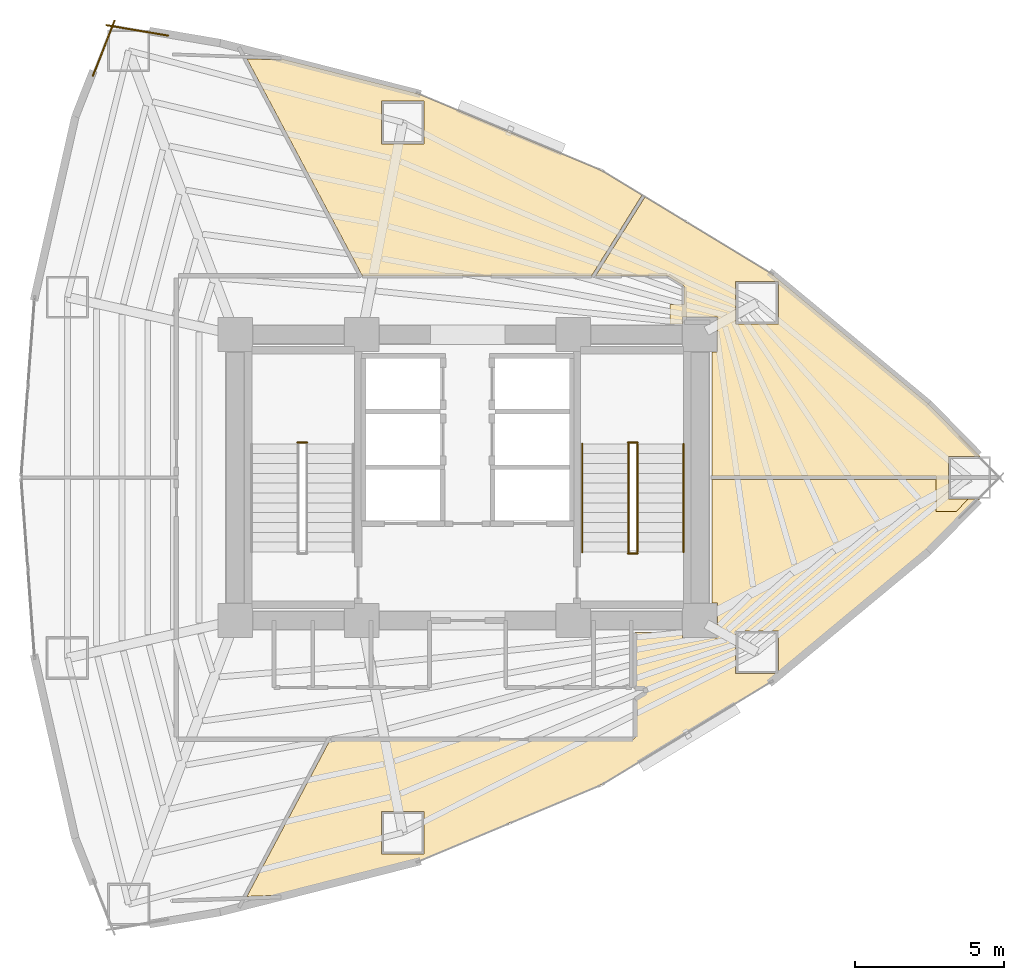
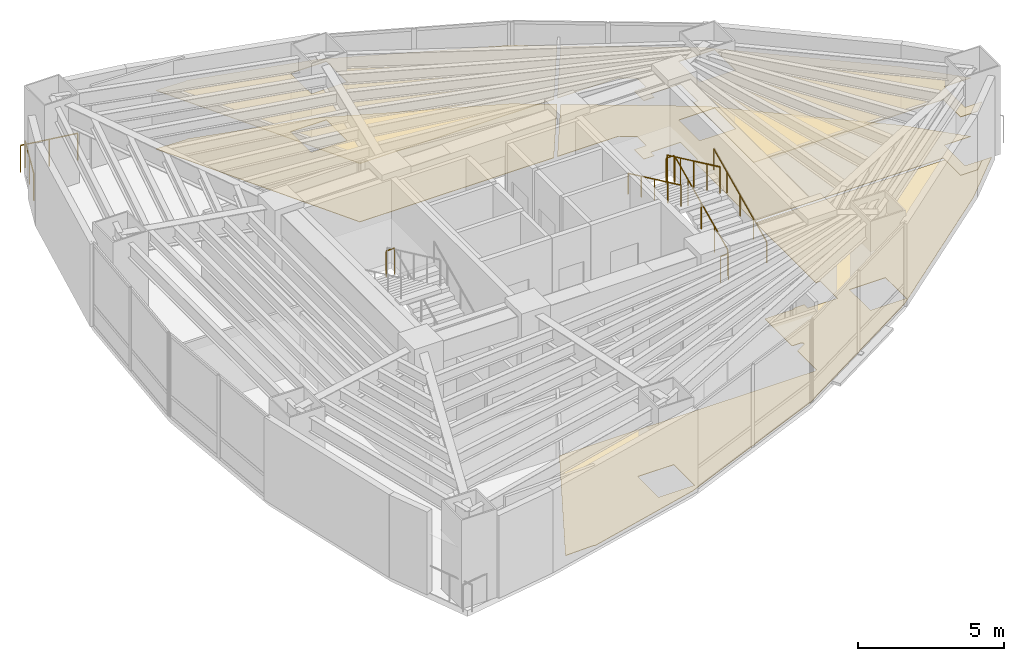
# One storey, part 17 of 18: 9 railings, 5 coverings.
"""IFC4 building model written with IfcOpenShell, lengths in metres."""

from ifc_helpers import new_model, si_unit, direction, frame, origin, origin_2d, place, context, subcontext, project, spatial, polyline, circle, outline, extrude, material, layer, layer_set, type_object, element, save


model = new_model("IFC4")

# Units and contexts
model_context = context("Model", 3, precision=1e-05, world=origin(), true_north=direction((0.0, 1.0)))
body_context = subcontext(model_context, "Body", "Model", "MODEL_VIEW")
ifc_project = project(units=[si_unit("LENGTHUNIT", "METRE"), si_unit("AREAUNIT", "SQUARE_METRE"), si_unit("VOLUMEUNIT", "CUBIC_METRE"), si_unit("PLANEANGLEUNIT", "RADIAN"), si_unit("MASSUNIT", "GRAM", prefix="KILO")], contexts=[model_context])

# Site, building, storey
site_placement = place(None, origin())
site = spatial("IfcSite", under=ifc_project, at=site_placement, CompositionType="ELEMENT")
building_placement = place(site_placement, origin())
building = spatial("IfcBuilding", under=site, at=building_placement, Name="Menara Vayukalpa", CompositionType="ELEMENT")
storey_placement = place(building_placement, frame((0.0, 0.0, 31.320068359375)))
storey = spatial("IfcBuildingStorey", under=building, at=storey_placement, Name="L06", CompositionType="ELEMENT", Elevation=31.320068359375)

# Coverings
ifc_material_1 = material(Name="Mineral Fibre Acoustic Ceiling Tile", Category="masonry")
ifc_layer_1 = layer(ifc_material_1, 0.02490234375)
ifc_layer_set_1 = layer_set([ifc_layer_1], Name="Mineral Fibre Acoustic Ceiling Tile")
covering_type_1 = type_object("IfcCoveringType", Name="COV-CLG1", PredefinedType="CEILING", material=ifc_layer_set_1)
covering_1_placement = place(storey_placement, frame((0.0, 0.0, 2.449951171875)))
element("IfcCovering", 1, at=covering_1_placement, inside=storey, type_object=covering_type_1, Name="L06 Staff Dining and Pantry Acoustic Ceiling", PredefinedType="CEILING", context=body_context, shape_type="SweptSolid", body=[
    extrude(outline(polyline([(33.819091796875, 22.06005859375), (33.818115234375, 22.060302734375), (33.817138671875, 22.060302734375), (33.816162109375, 22.060791015625), (33.815185546875, 22.061279296875), (33.814453125, 22.061767578125), (33.813720703125, 22.062255859375), (33.81298828125, 22.06298828125), (33.812255859375, 22.063720703125), (33.811767578125, 22.064453125), (33.811279296875, 22.065185546875), (33.810791015625, 22.066162109375), (33.810302734375, 22.067138671875), (33.810302734375, 22.068115234375), (33.81005859375, 22.069091796875), (33.81005859375, 22.070068359375), (33.81005859375, 26.2099609375), (33.989990234375, 26.2099609375), (33.989990234375, 27.389892578125), (32.81005859375, 27.389892578125), (32.81005859375, 27.14990234375), (32.389892578125, 27.14990234375), (32.389892578125, 27.81005859375), (32.8701171875, 27.81005859375), (32.8701171875, 28.39453125), (32.86962890625, 28.40185546875), (32.868408203125, 28.408935546875), (32.86669921875, 28.416015625), (32.8642578125, 28.422607421875), (32.861083984375, 28.428955078125), (32.857177734375, 28.43505859375), (32.852783203125, 28.440673828125), (32.847900390625, 28.44580078125), (32.84228515625, 28.450439453125), (32.836181640625, 28.45458984375), (32.333984375, 28.759765625), (32.328125, 28.762939453125), (32.322509765625, 28.765380859375), (32.31640625, 28.767333984375), (32.31005859375, 28.768798828125), (32.3037109375, 28.769775390625), (32.297119140625, 28.77001953125), (29.919189453125, 28.77001953125), (29.918212890625, 28.77001953125), (29.917236328125, 28.770263671875), (29.916259765625, 28.7705078125), (29.915283203125, 28.770751953125), (29.91455078125, 28.77099609375), (29.913818359375, 28.771484375), (29.912841796875, 28.772216796875), (29.912109375, 28.77294921875), (29.91162109375, 28.773681640625), (29.910888671875, 28.7744140625), (29.910400390625, 28.775146484375), (29.909912109375, 28.77587890625), (29.90966796875, 28.77685546875), (29.909423828125, 28.77783203125), (29.9091796875, 28.77880859375), (29.9091796875, 28.77978515625), (29.9091796875, 28.78076171875), (29.9091796875, 28.78173828125), (29.90966796875, 28.78271484375), (29.909912109375, 28.78369140625), (29.91015625, 28.784423828125), (29.91064453125, 28.785400390625), (31.551513671875, 31.411376953125), (31.55224609375, 31.412109375), (31.552734375, 31.412841796875), (31.553466796875, 31.41357421875), (31.55419921875, 31.414306640625), (31.55517578125, 31.414794921875), (31.555908203125, 31.415283203125), (31.556884765625, 31.41552734375), (31.557861328125, 31.415771484375), (31.55859375, 31.416015625), (31.559814453125, 31.416015625), (31.560791015625, 31.416015625), (31.561767578125, 31.416015625), (31.5625, 31.415771484375), (31.5634765625, 31.41552734375), (31.564453125, 31.4150390625), (31.565185546875, 31.41455078125), (35.810791015625, 28.835693359375), (35.81201171875, 28.834716796875), (41.07763671875, 24.468017578125), (41.078369140625, 24.46728515625), (42.798828125, 22.715087890625), (41.749755859375, 22.715087890625), (41.749755859375, 21.284912109375), (42.42041015625, 21.284912109375), (42.008056640625, 20.864990234375), (41.329833984375, 20.864990234375), (41.329833984375, 22.06005859375), (33.820068359375, 22.06005859375), (33.819091796875, 22.06005859375)]), holes=[polyline([(36.032958984375, 27.148193359375), (36.032958984375, 28.578125), (34.60302734375, 28.578125), (34.60302734375, 27.148193359375), (36.032958984375, 27.148193359375)])]), origin(), (0.0, 0.0, 1.0), 0.02490234375),
])
covering_2_placement = place(storey_placement, frame((0.0, 0.0, 2.449951171875)))
element("IfcCovering", 2, at=covering_2_placement, inside=storey, type_object=covering_type_1, Name="L06 Visitor Reception Lounge Acoustic Ceiling", PredefinedType="CEILING", context=body_context, shape_type="SweptSolid", body=[
    extrude(outline(polyline([(30.08984375, 32.310791015625), (30.090576171875, 32.310302734375), (30.09130859375, 32.31005859375), (31.445556640625, 31.4873046875), (31.4462890625, 31.48681640625), (31.447265625, 31.486083984375), (31.447998046875, 31.4853515625), (31.448486328125, 31.484619140625), (31.448974609375, 31.48388671875), (31.449462890625, 31.48291015625), (31.449951171875, 31.48193359375), (31.4501953125, 31.48095703125), (31.4501953125, 31.47998046875), (31.450439453125, 31.47900390625), (31.450439453125, 31.47802734375), (31.4501953125, 31.47705078125), (31.4501953125, 31.47607421875), (31.44970703125, 31.47509765625), (31.449462890625, 31.474365234375), (31.448974609375, 31.473388671875), (29.7626953125, 28.774658203125), (29.761962890625, 28.77392578125), (29.76123046875, 28.773193359375), (29.760498046875, 28.7724609375), (29.759765625, 28.771728515625), (29.7587890625, 28.771240234375), (29.758056640625, 28.770751953125), (29.757080078125, 28.7705078125), (29.756103515625, 28.770263671875), (29.755126953125, 28.77001953125), (29.754150390625, 28.77001953125), (22.07421875, 28.77001953125), (22.0732421875, 28.77001953125), (22.072265625, 28.770263671875), (22.0712890625, 28.7705078125), (22.070556640625, 28.770751953125), (22.069580078125, 28.771240234375), (22.068603515625, 28.771728515625), (22.06787109375, 28.772216796875), (22.067138671875, 28.77294921875), (22.066650390625, 28.773681640625), (22.06591796875, 28.7744140625), (22.0654296875, 28.775390625), (18.198486328125, 36.04833984375), (18.197998046875, 36.04931640625), (18.197509765625, 36.050048828125), (18.197509765625, 36.051025390625), (18.197265625, 36.052001953125), (18.197265625, 36.052978515625), (18.197265625, 36.05419921875), (18.197509765625, 36.05517578125), (18.19775390625, 36.055908203125), (18.197998046875, 36.056884765625), (18.198486328125, 36.057861328125), (18.198974609375, 36.05859375), (18.19970703125, 36.0595703125), (18.2001953125, 36.060302734375), (18.200927734375, 36.060791015625), (18.201904296875, 36.0615234375), (18.20263671875, 36.06201171875), (18.20361328125, 36.062255859375), (18.20458984375, 36.062744140625), (18.20556640625, 36.06298828125), (18.20654296875, 36.06298828125), (18.20751953125, 36.06298828125), (19.326904296875, 36.02392578125), (19.3330078125, 36.02392578125), (19.3388671875, 36.024658203125), (19.344482421875, 36.02587890625), (19.35009765625, 36.027587890625), (19.355712890625, 36.030029296875), (19.360595703125, 36.03271484375), (19.365478515625, 36.0361328125), (19.3701171875, 36.039794921875), (19.3740234375, 36.044189453125), (19.375, 36.045166015625), (19.37548828125, 36.0458984375), (19.376220703125, 36.046630859375), (19.376953125, 36.04736328125), (19.377685546875, 36.0478515625), (19.378662109375, 36.04833984375), (19.379638671875, 36.048583984375), (19.380615234375, 36.048828125), (19.381591796875, 36.049072265625), (19.382568359375, 36.04931640625), (19.38330078125, 36.04931640625), (19.384521484375, 36.049072265625), (19.385498046875, 36.048828125), (23.914794921875, 34.893798828125), (23.916015625, 34.893310546875), (30.08984375, 32.310791015625)]), holes=[polyline([(24.134521484375, 33.207763671875), (24.134521484375, 34.6376953125), (22.704345703125, 34.6376953125), (22.704345703125, 33.207763671875), (24.134521484375, 33.207763671875)])]), origin(), (0.0, 0.0, 1.0), 0.02490234375),
])
ifc_material_2 = material(Name="Porcelain Stoneware Floor Tile", Category="masonry")
ifc_layer_2 = layer(ifc_material_2, 0.02001953125)
ifc_layer_set_2 = layer_set([ifc_layer_2], Name="Porcelain Stoneware Floor Tile")
covering_type_2 = type_object("IfcCoveringType", Name="COV-FLR1", PredefinedType="FLOORING", material=ifc_layer_set_2)
covering_3_placement = place(storey_placement, origin())
element("IfcCovering", 3, at=covering_3_placement, inside=storey, type_object=covering_type_2, Name="L06 Executive Boardroom Porcelain Flooring", PredefinedType="FLOORING", context=body_context, shape_type="SweptSolid", body=[
    extrude(outline(polyline([(23.916015625, 9.106689453125), (23.914794921875, 9.106201171875), (19.385498046875, 7.951171875), (19.384521484375, 7.950927734375), (19.38330078125, 7.95068359375), (19.382568359375, 7.95068359375), (19.381591796875, 7.950927734375), (19.380615234375, 7.951171875), (19.379638671875, 7.951416015625), (19.378662109375, 7.95166015625), (19.377685546875, 7.9521484375), (19.376953125, 7.95263671875), (19.376220703125, 7.953369140625), (19.37548828125, 7.9541015625), (19.375, 7.954833984375), (19.3740234375, 7.955810546875), (19.3701171875, 7.960205078125), (19.365478515625, 7.9638671875), (19.360595703125, 7.96728515625), (19.355712890625, 7.969970703125), (19.35009765625, 7.972412109375), (19.344482421875, 7.97412109375), (19.3388671875, 7.975341796875), (19.3330078125, 7.97607421875), (19.326904296875, 7.97607421875), (18.20751953125, 7.93701171875), (18.20654296875, 7.93701171875), (18.20556640625, 7.93701171875), (18.20458984375, 7.937255859375), (18.20361328125, 7.937744140625), (18.20263671875, 7.93798828125), (18.201904296875, 7.9384765625), (18.200927734375, 7.939208984375), (18.2001953125, 7.939697265625), (18.19970703125, 7.9404296875), (18.198974609375, 7.94140625), (18.198486328125, 7.942138671875), (18.197998046875, 7.943115234375), (18.19775390625, 7.944091796875), (18.197509765625, 7.94482421875), (18.197265625, 7.94580078125), (18.197265625, 7.947021484375), (18.197265625, 7.947998046875), (18.197509765625, 7.948974609375), (18.197509765625, 7.949951171875), (18.197998046875, 7.95068359375), (18.198486328125, 7.95166015625), (20.996826171875, 13.214599609375), (20.997314453125, 13.215576171875), (20.997802734375, 13.21630859375), (20.99853515625, 13.217041015625), (20.999267578125, 13.2177734375), (21.0, 13.21826171875), (21.0009765625, 13.21875), (21.001708984375, 13.21923828125), (21.002685546875, 13.219482421875), (21.003662109375, 13.2197265625), (21.004638671875, 13.219970703125), (21.005615234375, 13.219970703125), (31.149658203125, 13.219970703125), (31.15673828125, 13.220458984375), (31.163818359375, 13.22119140625), (31.17041015625, 13.222900390625), (31.1767578125, 13.225341796875), (31.18310546875, 13.228271484375), (31.188720703125, 13.231689453125), (31.194580078125, 13.236083984375), (31.199462890625, 13.240478515625), (31.2041015625, 13.24560546875), (31.208251953125, 13.251220703125), (31.2119140625, 13.257080078125), (31.214599609375, 13.26318359375), (31.217041015625, 13.269775390625), (31.21875, 13.2763671875), (31.219482421875, 13.283203125), (31.219970703125, 13.290283203125), (31.219970703125, 14.55810546875), (31.22021484375, 14.55908203125), (31.22021484375, 14.56005859375), (31.220458984375, 14.56103515625), (31.220703125, 14.56201171875), (31.22119140625, 14.56298828125), (31.2216796875, 14.563720703125), (31.222412109375, 14.564697265625), (31.22314453125, 14.565185546875), (31.22412109375, 14.56591796875), (31.224853515625, 14.56640625), (31.5927734375, 14.7900390625), (31.5986328125, 14.794189453125), (31.60400390625, 14.798583984375), (31.60888671875, 14.803466796875), (31.61328125, 14.80908203125), (31.6171875, 14.81494140625), (31.620361328125, 14.821044921875), (31.622802734375, 14.82763671875), (31.624755859375, 14.83447265625), (31.626220703125, 14.84130859375), (31.626708984375, 14.84814453125), (31.62646484375, 14.85498046875), (31.62548828125, 14.862060546875), (31.6240234375, 14.868896484375), (31.621826171875, 14.87548828125), (31.618896484375, 14.8818359375), (31.615478515625, 14.887939453125), (31.611328125, 14.8935546875), (31.606689453125, 14.898681640625), (31.6015625, 14.903564453125), (31.59619140625, 14.90771484375), (31.590087890625, 14.911376953125), (31.583740234375, 14.91455078125), (31.5771484375, 14.916748046875), (31.570556640625, 14.918701171875), (31.563720703125, 14.919677734375), (31.556396484375, 14.919921875), (31.219970703125, 14.919921875), (31.218994140625, 14.919921875), (31.218017578125, 14.920166015625), (31.217041015625, 14.92041015625), (31.21630859375, 14.9208984375), (31.21533203125, 14.921142578125), (31.21435546875, 14.921630859375), (31.213623046875, 14.92236328125), (31.212890625, 14.9228515625), (31.21240234375, 14.923583984375), (31.211669921875, 14.92431640625), (31.211181640625, 14.92529296875), (31.210693359375, 14.92626953125), (31.21044921875, 14.927001953125), (31.210205078125, 14.927978515625), (31.2099609375, 14.928955078125), (31.2099609375, 14.929931640625), (31.2099609375, 16.780029296875), (31.2099609375, 16.781005859375), (31.210205078125, 16.781982421875), (31.21044921875, 16.782958984375), (31.210693359375, 16.78369140625), (31.211181640625, 16.78466796875), (31.211669921875, 16.78564453125), (31.21240234375, 16.786376953125), (31.212890625, 16.787109375), (31.213623046875, 16.78759765625), (31.21435546875, 16.788330078125), (31.21533203125, 16.788818359375), (31.21630859375, 16.789306640625), (31.217041015625, 16.78955078125), (31.218017578125, 16.789794921875), (31.218994140625, 16.7900390625), (31.219970703125, 16.7900390625), (32.389892578125, 16.7900390625), (32.389892578125, 16.85009765625), (32.81005859375, 16.85009765625), (32.81005859375, 16.610107421875), (33.989990234375, 16.610107421875), (33.989990234375, 17.7900390625), (33.81005859375, 17.7900390625), (33.81005859375, 21.929931640625), (33.81005859375, 21.930908203125), (33.810302734375, 21.931884765625), (33.810302734375, 21.932861328125), (33.810791015625, 21.933837890625), (33.811279296875, 21.934814453125), (33.811767578125, 21.935546875), (33.812255859375, 21.936279296875), (33.81298828125, 21.93701171875), (33.813720703125, 21.937744140625), (33.814453125, 21.938232421875), (33.815185546875, 21.938720703125), (33.816162109375, 21.939208984375), (33.817138671875, 21.939697265625), (33.818115234375, 21.939697265625), (33.819091796875, 21.93994140625), (33.820068359375, 21.93994140625), (41.329833984375, 21.93994140625), (41.329833984375, 23.135009765625), (42.008056640625, 23.135009765625), (42.42041015625, 22.715087890625), (41.749755859375, 22.715087890625), (41.749755859375, 21.284912109375), (42.798828125, 21.284912109375), (41.078369140625, 19.53271484375), (41.07763671875, 19.531982421875), (35.81201171875, 15.165283203125), (35.810791015625, 15.164306640625), (30.09130859375, 11.68994140625), (30.090576171875, 11.689697265625), (30.08984375, 11.689208984375), (23.916015625, 9.106689453125)]), holes=[polyline([(24.134521484375, 10.792236328125), (22.704345703125, 10.792236328125), (22.704345703125, 9.3623046875), (24.134521484375, 9.3623046875), (24.134521484375, 10.792236328125)]), polyline([(36.032958984375, 16.851806640625), (34.60302734375, 16.851806640625), (34.60302734375, 15.421875), (36.032958984375, 15.421875), (36.032958984375, 16.851806640625)])]), origin(), (0.0, 0.0, 1.0), 0.02001953125),
])
covering_4_placement = place(storey_placement, origin())
element("IfcCovering", 4, at=covering_4_placement, inside=storey, type_object=covering_type_2, Name="L06 Staff Dining and Pantry Porcelain Flooring", PredefinedType="FLOORING", context=body_context, shape_type="SweptSolid", body=[
    extrude(outline(polyline([(33.819091796875, 22.06005859375), (33.818115234375, 22.060302734375), (33.817138671875, 22.060302734375), (33.816162109375, 22.060791015625), (33.815185546875, 22.061279296875), (33.814453125, 22.061767578125), (33.813720703125, 22.062255859375), (33.81298828125, 22.06298828125), (33.812255859375, 22.063720703125), (33.811767578125, 22.064453125), (33.811279296875, 22.065185546875), (33.810791015625, 22.066162109375), (33.810302734375, 22.067138671875), (33.810302734375, 22.068115234375), (33.81005859375, 22.069091796875), (33.81005859375, 22.070068359375), (33.81005859375, 26.2099609375), (33.989990234375, 26.2099609375), (33.989990234375, 27.389892578125), (32.81005859375, 27.389892578125), (32.81005859375, 27.14990234375), (32.389892578125, 27.14990234375), (32.389892578125, 27.81005859375), (32.8701171875, 27.81005859375), (32.8701171875, 28.39453125), (32.86962890625, 28.40185546875), (32.868408203125, 28.408935546875), (32.86669921875, 28.416015625), (32.8642578125, 28.422607421875), (32.861083984375, 28.428955078125), (32.857177734375, 28.43505859375), (32.852783203125, 28.440673828125), (32.847900390625, 28.44580078125), (32.84228515625, 28.450439453125), (32.836181640625, 28.45458984375), (32.333984375, 28.759765625), (32.328125, 28.762939453125), (32.322509765625, 28.765380859375), (32.31640625, 28.767333984375), (32.31005859375, 28.768798828125), (32.3037109375, 28.769775390625), (32.297119140625, 28.77001953125), (29.919189453125, 28.77001953125), (29.918212890625, 28.77001953125), (29.917236328125, 28.770263671875), (29.916259765625, 28.7705078125), (29.915283203125, 28.770751953125), (29.91455078125, 28.77099609375), (29.913818359375, 28.771484375), (29.912841796875, 28.772216796875), (29.912109375, 28.77294921875), (29.91162109375, 28.773681640625), (29.910888671875, 28.7744140625), (29.910400390625, 28.775146484375), (29.909912109375, 28.77587890625), (29.90966796875, 28.77685546875), (29.909423828125, 28.77783203125), (29.9091796875, 28.77880859375), (29.9091796875, 28.77978515625), (29.9091796875, 28.78076171875), (29.9091796875, 28.78173828125), (29.90966796875, 28.78271484375), (29.909912109375, 28.78369140625), (29.91015625, 28.784423828125), (29.91064453125, 28.785400390625), (31.551513671875, 31.411376953125), (31.55224609375, 31.412109375), (31.552734375, 31.412841796875), (31.553466796875, 31.41357421875), (31.55419921875, 31.414306640625), (31.55517578125, 31.414794921875), (31.555908203125, 31.415283203125), (31.556884765625, 31.41552734375), (31.557861328125, 31.415771484375), (31.55859375, 31.416015625), (31.559814453125, 31.416015625), (31.560791015625, 31.416015625), (31.561767578125, 31.416015625), (31.5625, 31.415771484375), (31.5634765625, 31.41552734375), (31.564453125, 31.4150390625), (31.565185546875, 31.41455078125), (35.810791015625, 28.835693359375), (35.81201171875, 28.834716796875), (41.07763671875, 24.468017578125), (41.078369140625, 24.46728515625), (42.798828125, 22.715087890625), (41.749755859375, 22.715087890625), (41.749755859375, 21.284912109375), (42.42041015625, 21.284912109375), (42.008056640625, 20.864990234375), (41.329833984375, 20.864990234375), (41.329833984375, 22.06005859375), (33.820068359375, 22.06005859375), (33.819091796875, 22.06005859375)]), holes=[polyline([(36.032958984375, 27.148193359375), (36.032958984375, 28.578125), (34.60302734375, 28.578125), (34.60302734375, 27.148193359375), (36.032958984375, 27.148193359375)])]), origin(), (0.0, 0.0, 1.0), 0.02001953125),
])
covering_5_placement = place(storey_placement, origin())
element("IfcCovering", 5, at=covering_5_placement, inside=storey, type_object=covering_type_2, Name="L06 Visitor Reception Lounge Porcelain Flooring", PredefinedType="FLOORING", context=body_context, shape_type="SweptSolid", body=[
    extrude(outline(polyline([(30.08984375, 32.310791015625), (30.090576171875, 32.310302734375), (30.09130859375, 32.31005859375), (31.445556640625, 31.4873046875), (31.4462890625, 31.48681640625), (31.447265625, 31.486083984375), (31.447998046875, 31.4853515625), (31.448486328125, 31.484619140625), (31.448974609375, 31.48388671875), (31.449462890625, 31.48291015625), (31.449951171875, 31.48193359375), (31.4501953125, 31.48095703125), (31.4501953125, 31.47998046875), (31.450439453125, 31.47900390625), (31.450439453125, 31.47802734375), (31.4501953125, 31.47705078125), (31.4501953125, 31.47607421875), (31.44970703125, 31.47509765625), (31.449462890625, 31.474365234375), (31.448974609375, 31.473388671875), (29.7626953125, 28.774658203125), (29.761962890625, 28.77392578125), (29.76123046875, 28.773193359375), (29.760498046875, 28.7724609375), (29.759765625, 28.771728515625), (29.7587890625, 28.771240234375), (29.758056640625, 28.770751953125), (29.757080078125, 28.7705078125), (29.756103515625, 28.770263671875), (29.755126953125, 28.77001953125), (29.754150390625, 28.77001953125), (22.07421875, 28.77001953125), (22.0732421875, 28.77001953125), (22.072265625, 28.770263671875), (22.0712890625, 28.7705078125), (22.070556640625, 28.770751953125), (22.069580078125, 28.771240234375), (22.068603515625, 28.771728515625), (22.06787109375, 28.772216796875), (22.067138671875, 28.77294921875), (22.066650390625, 28.773681640625), (22.06591796875, 28.7744140625), (22.0654296875, 28.775390625), (18.198486328125, 36.04833984375), (18.197998046875, 36.04931640625), (18.197509765625, 36.050048828125), (18.197509765625, 36.051025390625), (18.197265625, 36.052001953125), (18.197265625, 36.052978515625), (18.197265625, 36.05419921875), (18.197509765625, 36.05517578125), (18.19775390625, 36.055908203125), (18.197998046875, 36.056884765625), (18.198486328125, 36.057861328125), (18.198974609375, 36.05859375), (18.19970703125, 36.0595703125), (18.2001953125, 36.060302734375), (18.200927734375, 36.060791015625), (18.201904296875, 36.0615234375), (18.20263671875, 36.06201171875), (18.20361328125, 36.062255859375), (18.20458984375, 36.062744140625), (18.20556640625, 36.06298828125), (18.20654296875, 36.06298828125), (18.20751953125, 36.06298828125), (19.326904296875, 36.02392578125), (19.3330078125, 36.02392578125), (19.3388671875, 36.024658203125), (19.344482421875, 36.02587890625), (19.35009765625, 36.027587890625), (19.355712890625, 36.030029296875), (19.360595703125, 36.03271484375), (19.365478515625, 36.0361328125), (19.3701171875, 36.039794921875), (19.3740234375, 36.044189453125), (19.375, 36.045166015625), (19.37548828125, 36.0458984375), (19.376220703125, 36.046630859375), (19.376953125, 36.04736328125), (19.377685546875, 36.0478515625), (19.378662109375, 36.04833984375), (19.379638671875, 36.048583984375), (19.380615234375, 36.048828125), (19.381591796875, 36.049072265625), (19.382568359375, 36.04931640625), (19.38330078125, 36.04931640625), (19.384521484375, 36.049072265625), (19.385498046875, 36.048828125), (23.914794921875, 34.893798828125), (23.916015625, 34.893310546875), (30.08984375, 32.310791015625)]), holes=[polyline([(24.134521484375, 33.207763671875), (24.134521484375, 34.6376953125), (22.704345703125, 34.6376953125), (22.704345703125, 33.207763671875), (24.134521484375, 33.207763671875)])]), origin(), (0.0, 0.0, 1.0), 0.02001953125),
])

# Railings
ifc_material_3 = material(Name="Laminated Glass and Stainless Steel 316 Guardrail", Category="steel")
railing_type_1 = type_object("IfcRailingType", Name="RLG-EXT115", PredefinedType="GUARDRAIL", material=ifc_material_3)
railing_1_placement = place(storey_placement, frame((15.541015625, 36.840087890625, 0.0)))
element("IfcRailing", 6, at=railing_1_placement, inside=storey, type_object=railing_type_1, Name="L06 Column Corner Spandrel Guardrail 07-1", PredefinedType="GUARDRAIL", context=body_context, shape_type="SweptSolid", body=[
    extrude(circle(Radius=0.02392578125, at=origin_2d()), frame((0.0, 0.0, 1.1259765625), z_axis=(-0.985904350491, 0.167309927029, 0.0), x_axis=(-0.167309927029, -0.985904350491, 0.0)), (0.0, 0.0, 1.0), 2.093994140625),
    extrude(circle(Radius=0.02099609375, at=origin_2d()), origin(), (0.0, 0.0, 1.0), 1.101806640625),
    extrude(circle(Radius=0.02099609375, at=origin_2d()), frame((-1.0322265625, 0.17529296875, 0.0)), (0.0, 0.0, 1.0), 1.101806640625),
    extrude(circle(Radius=0.02099609375, at=origin_2d()), frame((-2.064453125, 0.350341796875, 0.0)), (0.0, 0.0, 1.0), 1.101806640625),
])
railing_2_placement = place(storey_placement, frame((13.74755859375, 37.343505859375, 0.0)))
element("IfcRailing", 7, at=railing_2_placement, inside=storey, type_object=railing_type_1, Name="L06 Column Corner Spandrel Guardrail 08-1", PredefinedType="GUARDRAIL", context=body_context, shape_type="SweptSolid", body=[
    extrude(circle(Radius=0.02392578125, at=origin_2d()), frame((0.0, 0.0, 1.1259765625), z_axis=(-0.365580158762, -0.930779859859, 0.0), x_axis=(0.930779859859, -0.365580158762, 0.0)), (0.0, 0.0, 1.0), 1.9873046875),
    extrude(circle(Radius=0.02099609375, at=origin_2d()), origin(), (0.0, 0.0, 1.0), 1.101806640625),
    extrude(circle(Radius=0.02099609375, at=origin_2d()), frame((-0.36328125, -0.9248046875, 0.0)), (0.0, 0.0, 1.0), 1.101806640625),
    extrude(circle(Radius=0.02099609375, at=origin_2d()), frame((-0.7265625, -1.849853515625, 0.0)), (0.0, 0.0, 1.0), 1.101806640625),
])
ifc_material_4 = material(Name="Powder-Coated Galvanised Steel Guardrail", Category="steel")
railing_type_2 = type_object("IfcRailingType", Name="RLG-STG110", PredefinedType="GUARDRAIL", material=ifc_material_4)
railing_3_placement = place(storey_placement, frame((20.2099609375, 23.179931640625, 1.85986328125)))
element("IfcRailing", 8, at=railing_3_placement, inside=storey, type_object=railing_type_2, Name="L06 ST-1 stair guard 2", PredefinedType="GUARDRAIL", context=body_context, shape_type="SweptSolid", body=[
    extrude(circle(Radius=0.02392578125, at=origin_2d()), frame((0.0, 0.0, 1.09619140625), z_axis=(-1.0, 0.0, 0.0), x_axis=(0.0, -1.0, 0.0)), (0.0, 0.0, 1.0), 0.320068359375),
    extrude(circle(Radius=0.02099609375, at=origin_2d()), origin(), (0.0, 0.0, 1.0), 1.072021484375),
    extrude(circle(Radius=0.02099609375, at=origin_2d()), frame((-0.320068359375, 0.0, 0.0)), (0.0, 0.0, 1.0), 1.072021484375),
])
railing_4_placement = place(storey_placement, frame((31.300048828125, 19.5, 0.155029296875)))
element("IfcRailing", 9, at=railing_4_placement, inside=storey, type_object=railing_type_2, Name="L06 ST-2 stair guard 1", PredefinedType="GUARDRAIL", context=body_context, shape_type="SweptSolid", body=[
    extrude(circle(Radius=0.02392578125, at=origin_2d()), frame((0.0, 0.0, 1.09619140625), z_axis=(0.0, 0.90513990983, 0.425113800803), x_axis=(-1.0, 0.0, 0.0)), (0.0, 0.0, 1.0), 4.01025390625),
    extrude(circle(Radius=0.02099609375, at=origin_2d()), origin(), (0.0, 0.0, 1.0), 1.072021484375),
    extrude(circle(Radius=0.02099609375, at=origin_2d()), frame((0.0, 0.907470703125, 0.42626953125)), (0.0, 0.0, 1.0), 1.072021484375),
    extrude(circle(Radius=0.02099609375, at=origin_2d()), frame((0.0, 1.81494140625, 0.8525390625)), (0.0, 0.0, 1.0), 1.072021484375),
    extrude(circle(Radius=0.02099609375, at=origin_2d()), frame((0.0, 2.722412109375, 1.278564453125)), (0.0, 0.0, 1.0), 1.072021484375),
    extrude(circle(Radius=0.02099609375, at=origin_2d()), frame((0.0, 3.6298828125, 1.704833984375)), (0.0, 0.0, 1.0), 1.072021484375),
])
railing_5_placement = place(storey_placement, frame((31.31005859375, 23.179931640625, 1.85986328125)))
element("IfcRailing", 10, at=railing_5_placement, inside=storey, type_object=railing_type_2, Name="L06 ST-2 stair guard 2", PredefinedType="GUARDRAIL", context=body_context, shape_type="SweptSolid", body=[
    extrude(circle(Radius=0.02392578125, at=origin_2d()), frame((0.0, 0.0, 1.09619140625), z_axis=(-1.0, 0.0, 0.0), x_axis=(0.0, -1.0, 0.0)), (0.0, 0.0, 1.0), 0.320068359375),
    extrude(circle(Radius=0.02099609375, at=origin_2d()), origin(), (0.0, 0.0, 1.0), 1.072021484375),
    extrude(circle(Radius=0.02099609375, at=origin_2d()), frame((-0.320068359375, 0.0, 0.0)), (0.0, 0.0, 1.0), 1.072021484375),
])
railing_6_placement = place(storey_placement, frame((31.0, 23.1298828125, 2.014892578125)))
element("IfcRailing", 11, at=railing_6_placement, inside=storey, type_object=railing_type_2, Name="L06 ST-2 stair guard 3", PredefinedType="GUARDRAIL", context=body_context, shape_type="SweptSolid", body=[
    extrude(circle(Radius=0.02392578125, at=origin_2d()), frame((0.0, 0.0, 1.09619140625), z_axis=(0.0, -0.90511648382, 0.425163675209), x_axis=(1.0, 0.0, 0.0)), (0.0, 0.0, 1.0), 4.010498046875),
    extrude(circle(Radius=0.02099609375, at=origin_2d()), origin(), (0.0, 0.0, 1.0), 1.072021484375),
    extrude(circle(Radius=0.02099609375, at=origin_2d()), frame((0.0, -0.907470703125, 0.42626953125)), (0.0, 0.0, 1.0), 1.072021484375),
    extrude(circle(Radius=0.02099609375, at=origin_2d()), frame((0.0, -1.81494140625, 0.8525390625)), (0.0, 0.0, 1.0), 1.072021484375),
    extrude(circle(Radius=0.02099609375, at=origin_2d()), frame((0.0, -2.722412109375, 1.27880859375)), (0.0, 0.0, 1.0), 1.072021484375),
    extrude(circle(Radius=0.02099609375, at=origin_2d()), frame((0.0, -3.6298828125, 1.705078125)), (0.0, 0.0, 1.0), 1.072021484375),
])
railing_7_placement = place(storey_placement, frame((31.31005859375, 19.449951171875, 0.0)))
element("IfcRailing", 12, at=railing_7_placement, inside=storey, type_object=railing_type_2, Name="L06 ST-2 stair guard 4", PredefinedType="GUARDRAIL", context=body_context, shape_type="SweptSolid", body=[
    extrude(circle(Radius=0.02392578125, at=origin_2d()), frame((0.0, 0.0, 1.09619140625), z_axis=(-1.0, 0.0, 0.0), x_axis=(0.0, -1.0, 0.0)), (0.0, 0.0, 1.0), 0.320068359375),
    extrude(circle(Radius=0.02099609375, at=origin_2d()), origin(), (0.0, 0.0, 1.0), 1.072021484375),
    extrude(circle(Radius=0.02099609375, at=origin_2d()), frame((-0.320068359375, 0.0, 0.0)), (0.0, 0.0, 1.0), 1.072021484375),
])
ifc_material_5 = material(Name="Stainless Steel 316 Tubular Handrail", Category="steel")
railing_type_3 = type_object("IfcRailingType", Name="RLG-STH090", PredefinedType="HANDRAIL", material=ifc_material_5)
railing_8_placement = place(storey_placement, frame((32.85009765625, 19.5, 0.155029296875)))
element("IfcRailing", 13, at=railing_8_placement, inside=storey, type_object=railing_type_3, Name="L06 ST-2 stair handrail 1", PredefinedType="HANDRAIL", context=body_context, shape_type="SweptSolid", body=[
    extrude(circle(Radius=0.02392578125, at=origin_2d()), frame((0.0, 0.0, 0.8759765625), z_axis=(0.0, 0.90513990983, 0.425113800803), x_axis=(-1.0, 0.0, 0.0)), (0.0, 0.0, 1.0), 4.01025390625),
    extrude(circle(Radius=0.02099609375, at=origin_2d()), origin(), (0.0, 0.0, 1.0), 0.851806640625),
    extrude(circle(Radius=0.02099609375, at=origin_2d()), frame((0.0, 0.907470703125, 0.42626953125)), (0.0, 0.0, 1.0), 0.851806640625),
    extrude(circle(Radius=0.02099609375, at=origin_2d()), frame((0.0, 1.81494140625, 0.8525390625)), (0.0, 0.0, 1.0), 0.851806640625),
    extrude(circle(Radius=0.02099609375, at=origin_2d()), frame((0.0, 2.722412109375, 1.278564453125)), (0.0, 0.0, 1.0), 0.851806640625),
    extrude(circle(Radius=0.02099609375, at=origin_2d()), frame((0.0, 3.6298828125, 1.704833984375)), (0.0, 0.0, 1.0), 0.851806640625),
])
railing_9_placement = place(storey_placement, frame((29.449951171875, 23.1298828125, 2.014892578125)))
element("IfcRailing", 14, at=railing_9_placement, inside=storey, type_object=railing_type_3, Name="L06 ST-2 stair handrail 2", PredefinedType="HANDRAIL", context=body_context, shape_type="SweptSolid", body=[
    extrude(circle(Radius=0.02392578125, at=origin_2d()), frame((0.0, 0.0, 0.8759765625), z_axis=(0.0, -0.90511648382, 0.425163675209), x_axis=(1.0, 0.0, 0.0)), (0.0, 0.0, 1.0), 4.010498046875),
    extrude(circle(Radius=0.02099609375, at=origin_2d()), origin(), (0.0, 0.0, 1.0), 0.851806640625),
    extrude(circle(Radius=0.02099609375, at=origin_2d()), frame((0.0, -0.907470703125, 0.42626953125)), (0.0, 0.0, 1.0), 0.851806640625),
    extrude(circle(Radius=0.02099609375, at=origin_2d()), frame((0.0, -1.81494140625, 0.8525390625)), (0.0, 0.0, 1.0), 0.851806640625),
    extrude(circle(Radius=0.02099609375, at=origin_2d()), frame((0.0, -2.722412109375, 1.27880859375)), (0.0, 0.0, 1.0), 0.851806640625),
    extrude(circle(Radius=0.02099609375, at=origin_2d()), frame((0.0, -3.6298828125, 1.705078125)), (0.0, 0.0, 1.0), 0.851806640625),
])

save(model, "model.ifc")
